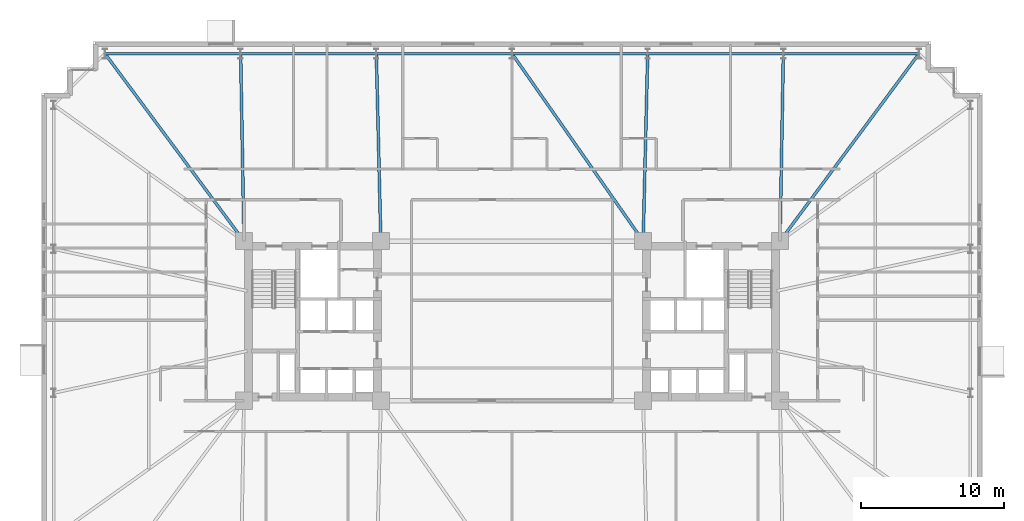
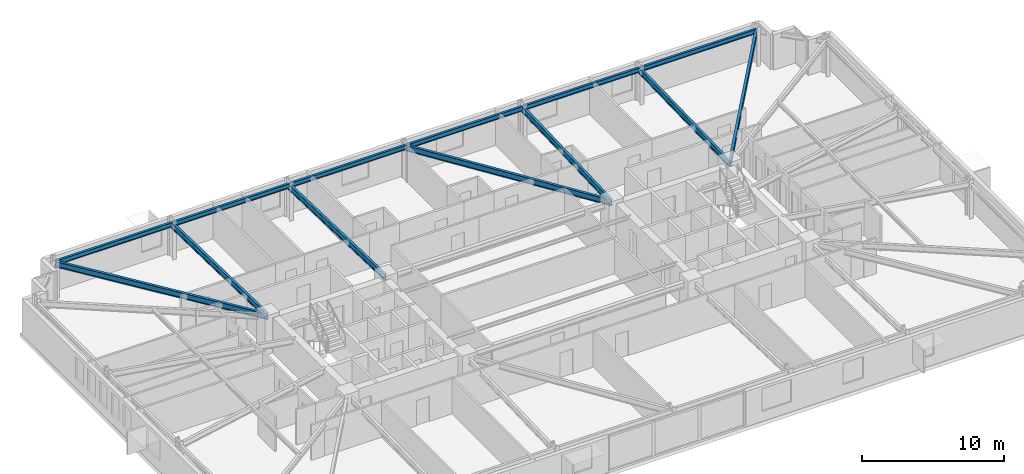
# One storey, part 13 of 24: 13 beams.
"""IFC4 building model written with IfcOpenShell, lengths in metres."""

from ifc_helpers import new_model, si_unit, direction, frame, origin, origin_2d, place, context, subcontext, project, spatial, i_section, extrude, material, material_profile, profile_set, type_object, element, save


model = new_model("IFC4")

# Units and contexts
model_context = context("Model", 3, precision=1e-05, world=origin(), true_north=direction((0.0, 1.0)))
body_context = subcontext(model_context, "Body", "Model", "MODEL_VIEW")
ifc_project = project(units=[si_unit("LENGTHUNIT", "METRE"), si_unit("AREAUNIT", "SQUARE_METRE"), si_unit("VOLUMEUNIT", "CUBIC_METRE"), si_unit("PLANEANGLEUNIT", "RADIAN"), si_unit("MASSUNIT", "GRAM", prefix="KILO")], contexts=[model_context])

# Site, building, storey
site_placement = place(None, origin())
site = spatial("IfcSite", under=ifc_project, at=site_placement, CompositionType="ELEMENT")
building_placement = place(site_placement, origin())
building = spatial("IfcBuilding", under=site, at=building_placement, Name="Qobustan Lattice House", CompositionType="ELEMENT")
storey_placement = place(building_placement, frame((0.0, 0.0, 43.75)))
storey = spatial("IfcBuildingStorey", under=building, at=storey_placement, Name="L11", CompositionType="ELEMENT", Elevation=43.75)

# Beams
ifc_material_1 = material(Name="Steel S355", Category="steel")
ifc_material_profile_1 = material_profile(ifc_material_1, i_section(OverallWidth=0.199951171875, OverallDepth=0.5, WebThickness=0.01025390625, FlangeThickness=0.01611328125, FilletRadius=0.02099609375, at=origin_2d()), Name="IPE500")
ifc_profile_set_1 = profile_set([ifc_material_profile_1], Name="Steel S355")
beam_type_1 = type_object("IfcBeamType", Name="BM-FLG-IPE500", PredefinedType="USERDEFINED", material=ifc_profile_set_1)
beam_1_placement = place(storey_placement, frame((-28.53515625, 18.72998046875, 2.784912109375), z_axis=(0.5955916815, -0.803287338956, 0.0), x_axis=(0.803287338956, 0.5955916815, 0.0)))
element("IfcBeam", 1, at=beam_1_placement, inside=storey, type_object=beam_type_1, Name="L11 primary floor girder RAD-N7W", ObjectType="GIRDER", PredefinedType="USERDEFINED", context=body_context, shape_type="SweptSolid", body=[
    extrude(i_section(OverallWidth=0.199951171875, OverallDepth=0.5, WebThickness=0.01025390625, FlangeThickness=0.01611328125, FilletRadius=0.02099609375, at=origin_2d()), origin(), (0.0, 0.0, 1.0), 16.3203125),
])
beam_2_placement = place(storey_placement, frame((-19.032958984375, 18.72509765625, 2.784912109375), z_axis=(0.017757831607, -0.999842317276, 0.0), x_axis=(0.999842317276, 0.017757831607, 0.0)))
element("IfcBeam", 2, at=beam_2_placement, inside=storey, type_object=beam_type_1, Name="L11 primary floor girder RAD-N6", ObjectType="GIRDER", PredefinedType="USERDEFINED", context=body_context, shape_type="SweptSolid", body=[
    extrude(i_section(OverallWidth=0.199951171875, OverallDepth=0.5, WebThickness=0.01025390625, FlangeThickness=0.01611328125, FilletRadius=0.02099609375, at=origin_2d()), origin(), (0.0, 0.0, 1.0), 13.10205078125),
])
beam_3_placement = place(storey_placement, frame((-9.51611328125, 18.72509765625, 2.784912109375), z_axis=(0.024071445657, -0.999710240772, 0.0), x_axis=(0.999710240772, 0.024071445657, 0.0)))
element("IfcBeam", 3, at=beam_3_placement, inside=storey, type_object=beam_type_1, Name="L11 primary floor girder RAD-N5", ObjectType="GIRDER", PredefinedType="USERDEFINED", context=body_context, shape_type="SweptSolid", body=[
    extrude(i_section(OverallWidth=0.199951171875, OverallDepth=0.5, WebThickness=0.01025390625, FlangeThickness=0.01611328125, FilletRadius=0.02099609375, at=origin_2d()), origin(), (0.0, 0.0, 1.0), 13.10400390625),
])
beam_4_placement = place(storey_placement, frame((0.014404296875, 18.7294921875, 2.784912109375), z_axis=(0.57325954206, -0.819373844736, 0.0), x_axis=(0.819373844736, 0.57325954206, 0.0)))
element("IfcBeam", 4, at=beam_4_placement, inside=storey, type_object=beam_type_1, Name="L11 primary floor girder RAD-N4", ObjectType="GIRDER", PredefinedType="USERDEFINED", context=body_context, shape_type="SweptSolid", body=[
    extrude(i_section(OverallWidth=0.199951171875, OverallDepth=0.5, WebThickness=0.01025390625, FlangeThickness=0.01611328125, FilletRadius=0.02099609375, at=origin_2d()), origin(), (0.0, 0.0, 1.0), 15.998779296875),
])
beam_5_placement = place(storey_placement, frame((9.51611328125, 18.72509765625, 2.784912109375), z_axis=(-0.024071445657, -0.999710240772, 0.0), x_axis=(0.999710240772, -0.024071445657, 0.0)))
element("IfcBeam", 5, at=beam_5_placement, inside=storey, type_object=beam_type_1, Name="L11 primary floor girder RAD-N3", ObjectType="GIRDER", PredefinedType="USERDEFINED", context=body_context, shape_type="SweptSolid", body=[
    extrude(i_section(OverallWidth=0.199951171875, OverallDepth=0.5, WebThickness=0.01025390625, FlangeThickness=0.01611328125, FilletRadius=0.02099609375, at=origin_2d()), origin(), (0.0, 0.0, 1.0), 13.10400390625),
])
beam_6_placement = place(storey_placement, frame((19.032958984375, 18.72509765625, 2.784912109375), z_axis=(-0.017757831607, -0.999842317276, 0.0), x_axis=(0.999842317276, -0.017757831607, 0.0)))
element("IfcBeam", 6, at=beam_6_placement, inside=storey, type_object=beam_type_1, Name="L11 primary floor girder RAD-N2", ObjectType="GIRDER", PredefinedType="USERDEFINED", context=body_context, shape_type="SweptSolid", body=[
    extrude(i_section(OverallWidth=0.199951171875, OverallDepth=0.5, WebThickness=0.01025390625, FlangeThickness=0.01611328125, FilletRadius=0.02099609375, at=origin_2d()), origin(), (0.0, 0.0, 1.0), 13.10205078125),
])
beam_7_placement = place(storey_placement, frame((28.53515625, 18.72998046875, 2.784912109375), z_axis=(-0.5955916815, -0.803287338956, 0.0), x_axis=(0.803287338956, -0.5955916815, 0.0)))
element("IfcBeam", 7, at=beam_7_placement, inside=storey, type_object=beam_type_1, Name="L11 primary floor girder RAD-N1E", ObjectType="GIRDER", PredefinedType="USERDEFINED", context=body_context, shape_type="SweptSolid", body=[
    extrude(i_section(OverallWidth=0.199951171875, OverallDepth=0.5, WebThickness=0.01025390625, FlangeThickness=0.01611328125, FilletRadius=0.02099609375, at=origin_2d()), origin(), (0.0, 0.0, 1.0), 16.3203125),
])
ifc_material_2 = material(Name="Steel S355", Category="steel")
ifc_material_profile_2 = material_profile(ifc_material_2, i_section(OverallWidth=0.179931640625, OverallDepth=0.39990234375, WebThickness=0.008544921875, FlangeThickness=0.013427734375, FilletRadius=0.02099609375, at=origin_2d()), Name="IPE400")
ifc_profile_set_2 = profile_set([ifc_material_profile_2], Name="Steel S355")
beam_type_2 = type_object("IfcBeamType", Name="BM-SPD-IPE400", PredefinedType="SPANDREL", material=ifc_profile_set_2)
for number, where, z_axis, x_axis, name in (
    (8, (28.52490234375, 18.75, 2.8349609375), (-1.0, 0.0, 0.0), (0.0, -1.0, 0.0), "L11 perimeter spandrel N1-N2"),
    (9, (19.00830078125, 18.75, 2.8349609375), (-1.0, 0.0, 0.0), (0.0, -1.0, 0.0), "L11 perimeter spandrel N2-N3"),
):
    element("IfcBeam", number, at=place(storey_placement, frame(where, z_axis=z_axis, x_axis=x_axis)), inside=storey, type_object=beam_type_2, Name=name, PredefinedType="SPANDREL", context=body_context, shape_type="SweptSolid", body=[
        extrude(i_section(OverallWidth=0.179931640625, OverallDepth=0.39990234375, WebThickness=0.008544921875, FlangeThickness=0.013427734375, FilletRadius=0.02099609375, at=origin_2d()), origin(), (0.0, 0.0, 1.0), 9.466552734375),
    ])
for number, where, z_axis, x_axis, name in (
    (10, (9.49169921875, 18.75, 2.8349609375), (-1.0, 0.0, 0.0), (0.0, -1.0, 0.0), "L11 perimeter spandrel N3-N4"),
    (11, (-0.02490234375, 18.75, 2.8349609375), (-1.0, 0.0, 0.0), (0.0, -1.0, 0.0), "L11 perimeter spandrel N4-N5"),
):
    element("IfcBeam", number, at=place(storey_placement, frame(where, z_axis=z_axis, x_axis=x_axis)), inside=storey, type_object=beam_type_2, Name=name, PredefinedType="SPANDREL", context=body_context, shape_type="SweptSolid", body=[
        extrude(i_section(OverallWidth=0.179931640625, OverallDepth=0.39990234375, WebThickness=0.008544921875, FlangeThickness=0.013427734375, FilletRadius=0.02099609375, at=origin_2d()), origin(), (0.0, 0.0, 1.0), 9.466796875),
    ])
for number, where, z_axis, x_axis, name in (
    (12, (-9.541748046875, 18.75, 2.8349609375), (-1.0, 0.0, 0.0), (0.0, -1.0, 0.0), "L11 perimeter spandrel N5-N6"),
    (13, (-19.058349609375, 18.75, 2.8349609375), (-1.0, 0.0, 0.0), (0.0, -1.0, 0.0), "L11 perimeter spandrel N6-N7"),
):
    element("IfcBeam", number, at=place(storey_placement, frame(where, z_axis=z_axis, x_axis=x_axis)), inside=storey, type_object=beam_type_2, Name=name, PredefinedType="SPANDREL", context=body_context, shape_type="SweptSolid", body=[
        extrude(i_section(OverallWidth=0.179931640625, OverallDepth=0.39990234375, WebThickness=0.008544921875, FlangeThickness=0.013427734375, FilletRadius=0.02099609375, at=origin_2d()), origin(), (0.0, 0.0, 1.0), 9.466552734375),
    ])

save(model, "model.ifc")
